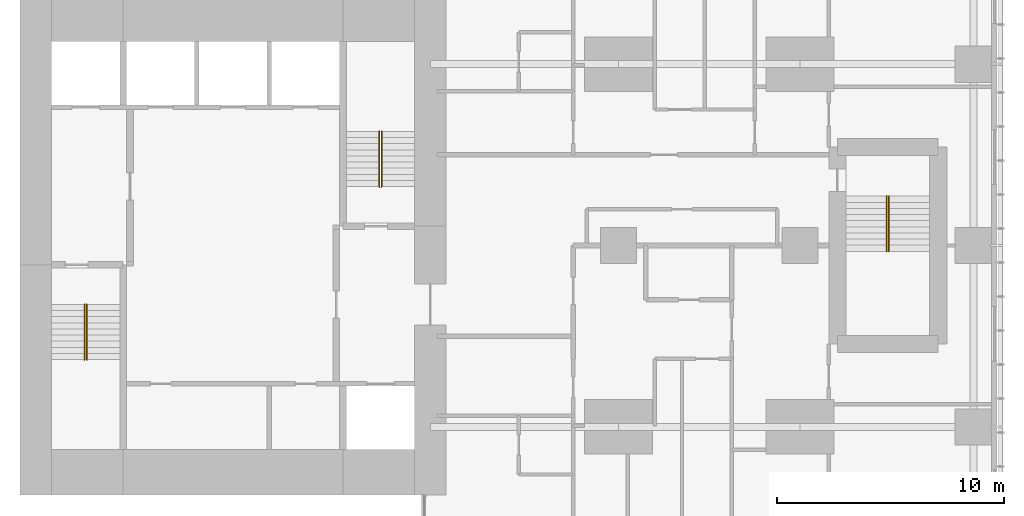
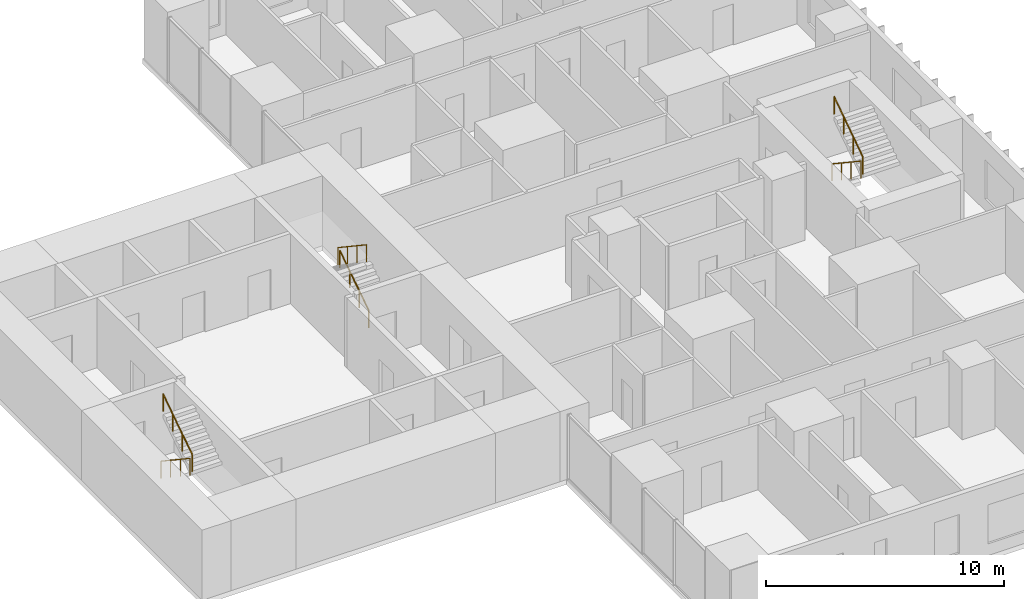
# One storey, part 12 of 12: 6 railings.
"""IFC4 building model written with IfcOpenShell, lengths in metres."""

from ifc_helpers import new_model, si_unit, direction, frame, origin, origin_2d, place, context, subcontext, project, spatial, circle, extrude, material, type_object, element, save


model = new_model("IFC4")

# Units and contexts
model_context = context("Model", 3, precision=1e-05, world=origin(), true_north=direction((0.0, 1.0)))
body_context = subcontext(model_context, "Body", "Model", "MODEL_VIEW")
ifc_project = project(units=[si_unit("LENGTHUNIT", "METRE"), si_unit("AREAUNIT", "SQUARE_METRE"), si_unit("VOLUMEUNIT", "CUBIC_METRE"), si_unit("PLANEANGLEUNIT", "RADIAN"), si_unit("MASSUNIT", "GRAM", prefix="KILO")], contexts=[model_context])

# Site, building, storey
site_placement = place(None, origin())
site = spatial("IfcSite", under=ifc_project, at=site_placement, CompositionType="ELEMENT")
building_placement = place(site_placement, origin())
building = spatial("IfcBuilding", under=site, at=building_placement, Name="Cleftline Residences", CompositionType="ELEMENT")
storey_placement = place(building_placement, frame((0.0, 0.0, 241.199951171875)))
storey = spatial("IfcBuildingStorey", under=building, at=storey_placement, Name="L63", CompositionType="ELEMENT", Elevation=241.199951171875)

# Railings
ifc_material = material(Name="Stainless steel", Category="steel")
railing_type = type_object("IfcRailingType", Name="HANDRAIL 900", PredefinedType="HANDRAIL", material=ifc_material)
railing_1_placement = place(storey_placement, frame((26.449951171875, 21.39990234375, 0.179931640625)))
element("IfcRailing", 1, at=railing_1_placement, inside=storey, type_object=railing_type, Name="Stair handrail", PredefinedType="HANDRAIL", context=body_context, shape_type="SweptSolid", body=[
    extrude(circle(Radius=0.02392578125, at=origin_2d()), frame((0.0, 0.0, 0.8759765625), z_axis=(0.0, -0.832024571796, 0.554738778101), x_axis=(1.0, 0.0, 0.0)), (0.0, 0.0, 1.0), 2.92041015625),
    extrude(circle(Radius=0.02099609375, at=origin_2d()), origin(), (0.0, 0.0, 1.0), 0.851806640625),
    extrude(circle(Radius=0.02099609375, at=origin_2d()), frame((0.0, -0.81005859375, 0.5400390625)), (0.0, 0.0, 1.0), 0.851806640625),
    extrude(circle(Radius=0.02099609375, at=origin_2d()), frame((0.0, -1.619873046875, 1.080078125)), (0.0, 0.0, 1.0), 0.851806640625),
    extrude(circle(Radius=0.02099609375, at=origin_2d()), frame((0.0, -2.429931640625, 1.6201171875)), (0.0, 0.0, 1.0), 0.851806640625),
])
for number, where, name in (
    (2, (26.550048828125, 18.969970703125, 1.97998046875), "Stair handrail"),
    (3, (39.550048828125, 26.60009765625, 0.179931640625), "Stair handrail"),
):
    element("IfcRailing", number, at=place(storey_placement, frame(where)), inside=storey, type_object=railing_type, Name=name, PredefinedType="HANDRAIL", context=body_context, shape_type="SweptSolid", body=[
        extrude(circle(Radius=0.02392578125, at=origin_2d()), frame((0.0, 0.0, 0.8759765625), z_axis=(0.0, 0.832024571796, 0.554738778101), x_axis=(-1.0, 0.0, 0.0)), (0.0, 0.0, 1.0), 2.92041015625),
        extrude(circle(Radius=0.02099609375, at=origin_2d()), origin(), (0.0, 0.0, 1.0), 0.851806640625),
        extrude(circle(Radius=0.02099609375, at=origin_2d()), frame((0.0, 0.81005859375, 0.5400390625)), (0.0, 0.0, 1.0), 0.851806640625),
        extrude(circle(Radius=0.02099609375, at=origin_2d()), frame((0.0, 1.619873046875, 1.080078125)), (0.0, 0.0, 1.0), 0.851806640625),
        extrude(circle(Radius=0.02099609375, at=origin_2d()), frame((0.0, 2.429931640625, 1.6201171875)), (0.0, 0.0, 1.0), 0.851806640625),
    ])
for number, where, name in (
    (4, (39.449951171875, 29.030029296875, 1.97998046875), "Stair handrail"),
    (5, (61.824951171875, 26.175048828125, 0.179931640625), "Stair handrail"),
):
    element("IfcRailing", number, at=place(storey_placement, frame(where)), inside=storey, type_object=railing_type, Name=name, PredefinedType="HANDRAIL", context=body_context, shape_type="SweptSolid", body=[
        extrude(circle(Radius=0.02392578125, at=origin_2d()), frame((0.0, 0.0, 0.8759765625), z_axis=(0.0, -0.832024571796, 0.554738778101), x_axis=(1.0, 0.0, 0.0)), (0.0, 0.0, 1.0), 2.92041015625),
        extrude(circle(Radius=0.02099609375, at=origin_2d()), origin(), (0.0, 0.0, 1.0), 0.851806640625),
        extrude(circle(Radius=0.02099609375, at=origin_2d()), frame((0.0, -0.81005859375, 0.5400390625)), (0.0, 0.0, 1.0), 0.851806640625),
        extrude(circle(Radius=0.02099609375, at=origin_2d()), frame((0.0, -1.619873046875, 1.080078125)), (0.0, 0.0, 1.0), 0.851806640625),
        extrude(circle(Radius=0.02099609375, at=origin_2d()), frame((0.0, -2.429931640625, 1.6201171875)), (0.0, 0.0, 1.0), 0.851806640625),
    ])
railing_2_placement = place(storey_placement, frame((61.925048828125, 23.7451171875, 1.97998046875)))
element("IfcRailing", 6, at=railing_2_placement, inside=storey, type_object=railing_type, Name="Stair handrail", PredefinedType="HANDRAIL", context=body_context, shape_type="SweptSolid", body=[
    extrude(circle(Radius=0.02392578125, at=origin_2d()), frame((0.0, 0.0, 0.8759765625), z_axis=(0.0, 0.832024571796, 0.554738778101), x_axis=(-1.0, 0.0, 0.0)), (0.0, 0.0, 1.0), 2.92041015625),
    extrude(circle(Radius=0.02099609375, at=origin_2d()), origin(), (0.0, 0.0, 1.0), 0.851806640625),
    extrude(circle(Radius=0.02099609375, at=origin_2d()), frame((0.0, 0.81005859375, 0.5400390625)), (0.0, 0.0, 1.0), 0.851806640625),
    extrude(circle(Radius=0.02099609375, at=origin_2d()), frame((0.0, 1.619873046875, 1.080078125)), (0.0, 0.0, 1.0), 0.851806640625),
    extrude(circle(Radius=0.02099609375, at=origin_2d()), frame((0.0, 2.429931640625, 1.6201171875)), (0.0, 0.0, 1.0), 0.851806640625),
])

save(model, "model.ifc")
